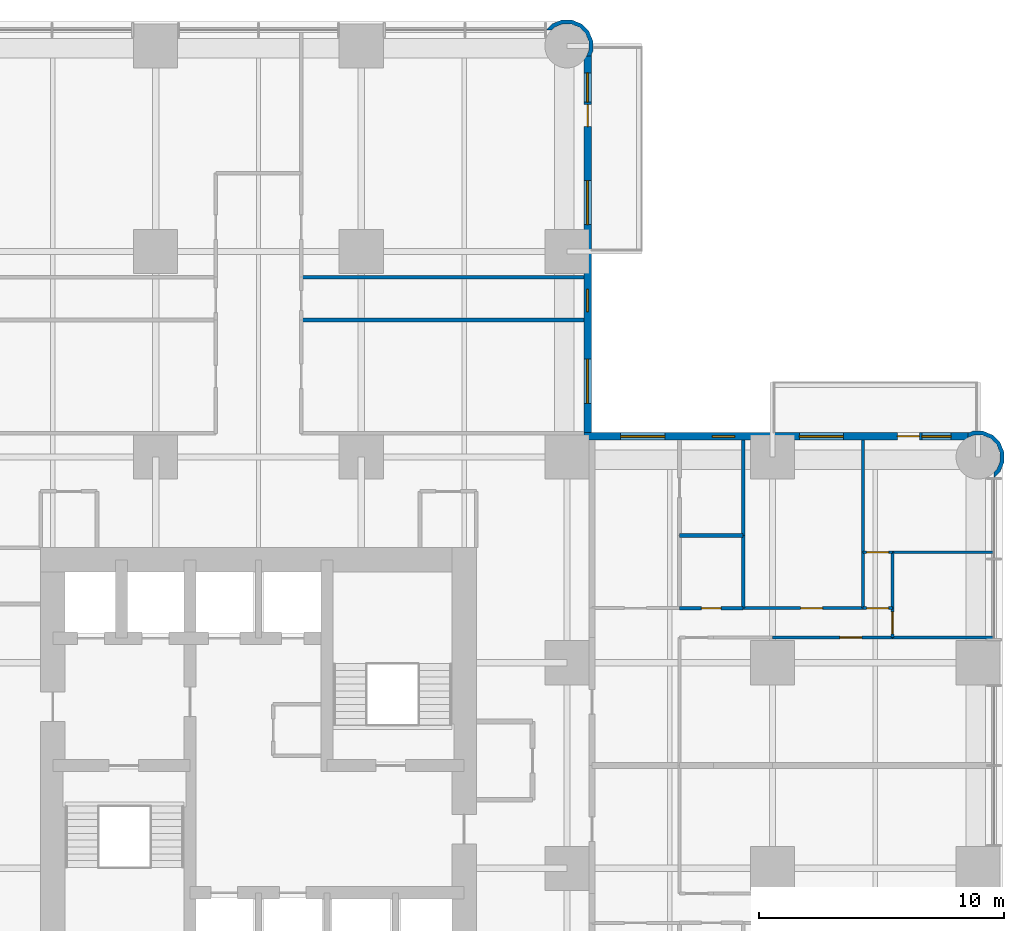
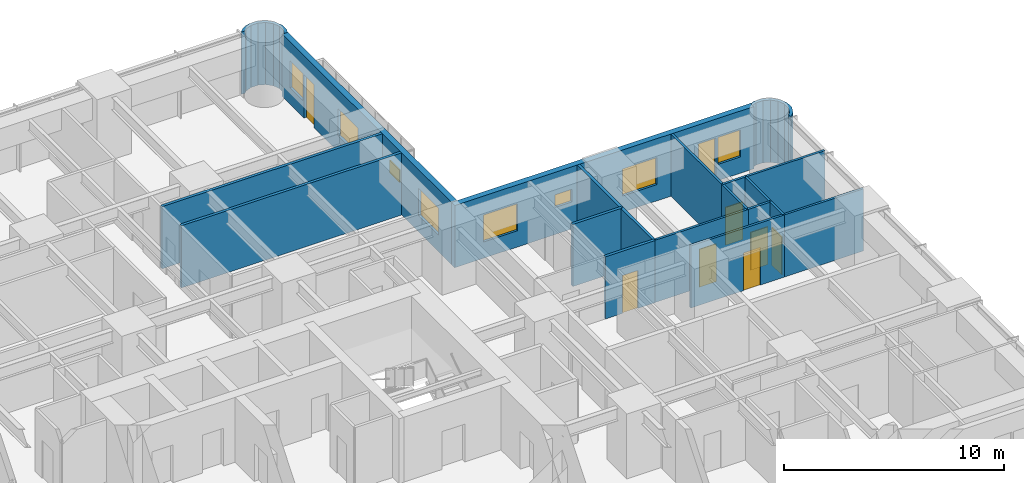
# One storey, part 14 of 17: 20 walls, 8 doors, 8 windows, 16 openings.
"""IFC4 building model written with IfcOpenShell, lengths in metres."""

from ifc_helpers import new_model, si_unit, direction, frame, frame_2d, origin, place, context, subcontext, project, spatial, polyline, rectangle, outline, extrude, material, layer, layer_set, type_object, element, fill, save


model = new_model("IFC4")

# Units and contexts
model_context = context("Model", 3, precision=1e-05, world=origin(), true_north=direction((0.0, 1.0)))
body_context = subcontext(model_context, "Body", "Model", "MODEL_VIEW")
ifc_project = project(units=[si_unit("LENGTHUNIT", "METRE"), si_unit("AREAUNIT", "SQUARE_METRE"), si_unit("VOLUMEUNIT", "CUBIC_METRE"), si_unit("PLANEANGLEUNIT", "RADIAN"), si_unit("MASSUNIT", "GRAM", prefix="KILO")], contexts=[model_context])

# Site, building, storey
site_placement = place(None, origin())
site = spatial("IfcSite", under=ifc_project, at=site_placement, CompositionType="ELEMENT")
building_placement = place(site_placement, origin())
building = spatial("IfcBuilding", under=site, at=building_placement, Name="Torre Alcanfor", CompositionType="ELEMENT")
storey_placement = place(building_placement, frame((0.0, 0.0, 34.5)))
storey = spatial("IfcBuildingStorey", under=building, at=storey_placement, Name="L07", CompositionType="ELEMENT", Elevation=34.5)

# Wall, opening, door
ifc_material_1 = material(Name="Gypsum board on steel studs", Category="steel")
ifc_layer_1 = layer(ifc_material_1, 0.1201171875)
ifc_layer_set_1 = layer_set([ifc_layer_1], Name="Apartment partition 120")
wall_type_1 = type_object("IfcWallType", Name="Apartment partition 120", PredefinedType="PARTITIONING", material=ifc_layer_set_1)
wall_1_placement = place(storey_placement, frame((55.300048828125, 34.62890625, 0.0), z_axis=(0.0, 0.0, 1.0), x_axis=(-1.0, 0.0, 0.0)))
wall_1 = element("IfcWall", 1, at=wall_1_placement, inside=storey, type_object=wall_type_1, Name="Partition L07-E1-LIVING / L07-E1-HALL", PredefinedType="PARTITIONING", context=body_context, shape_type="SweptSolid", body=[
    extrude(rectangle(XDim=4.900146484375, YDim=0.1201171875, at=frame_2d((2.4501953125, 0.0))), origin(), (0.0, 0.0, 1.0), 3.449951171875),
])
opening_1_placement = place(wall_1_placement, frame((1.25, 0.0, 0.0)))
opening_1 = element("IfcOpeningElement", 2, at=opening_1_placement, cuts=wall_1, Name="Opening D-R1", PredefinedType="OPENING", context=body_context, shape_type="SweptSolid", body=[
    extrude(rectangle(XDim=0.89990234375, YDim=2.10009765625, at=frame_2d((0.449951171875, 1.050048828125))), frame((0.0, 0.070068359375, 0.0), z_axis=(0.0, -1.0, 0.0), x_axis=(1.0, 0.0, 0.0)), (0.0, 0.0, 1.0), 0.14013671875),
])
ifc_material_2 = material(Name="Timber", Category="wood")
door_type_1 = type_object("IfcDoorType", Name="Internal door 900x2100", OperationType="SINGLE_SWING_LEFT", PredefinedType="DOOR", material=ifc_material_2)
door_1_placement = place(opening_1_placement, origin())
door_1 = element("IfcDoor", 3, at=door_1_placement, inside=storey, type_object=door_type_1, Name="Door L07-E1 living", OperationType="SINGLE_SWING_RIGHT", OverallHeight=2.10009765625, OverallWidth=0.89990234375, PredefinedType="DOOR", context=body_context, shape_type="SweptSolid", body=[
    extrude(rectangle(XDim=0.89990234375, YDim=2.10009765625, at=frame_2d((0.449951171875, 1.050048828125))), frame((0.0, 0.02490234375, 0.0), z_axis=(0.0, -1.0, 0.0), x_axis=(1.0, 0.0, 0.0)), (0.0, 0.0, 1.0), 0.050048828125),
])
fill(opening_1, door_1)

# Wall
wall_2_placement = place(storey_placement, frame((59.449951171875, 34.62890625, 0.0), z_axis=(0.0, 0.0, 1.0), x_axis=(-1.0, 0.0, 0.0)))
element("IfcWall", 4, at=wall_2_placement, inside=storey, type_object=wall_type_1, Name="Partition L07-E1-LIVING / L07-E1-BED2", PredefinedType="PARTITIONING", context=body_context, shape_type="SweptSolid", body=[
    extrude(rectangle(XDim=4.14990234375, YDim=0.1201171875, at=frame_2d((2.074951171875, 0.0))), origin(), (0.0, 0.0, 1.0), 3.449951171875),
])

# Wall, opening, door
wall_3_placement = place(storey_placement, frame((54.10009765625, 35.8291015625, 0.0), z_axis=(0.0, 0.0, 1.0), x_axis=(-1.0, 0.0, 0.0)))
wall_3 = element("IfcWall", 5, at=wall_3_placement, inside=storey, type_object=wall_type_1, Name="Partition L07-E1-HALL / L07-E1-BED3", PredefinedType="PARTITIONING", context=body_context, shape_type="SweptSolid", body=[
    extrude(rectangle(XDim=4.900146484375, YDim=0.1201171875, at=frame_2d((2.4501953125, 0.0))), origin(), (0.0, 0.0, 1.0), 3.449951171875),
])
opening_2_placement = place(wall_3_placement, frame((1.64990234375, 0.0, 0.0)))
opening_2 = element("IfcOpeningElement", 6, at=opening_2_placement, cuts=wall_3, Name="Opening D-R1", PredefinedType="OPENING", context=body_context, shape_type="SweptSolid", body=[
    extrude(rectangle(XDim=0.89990234375, YDim=2.10009765625, at=frame_2d((0.449951171875, 1.050048828125))), frame((0.0, 0.070068359375, 0.0), z_axis=(0.0, -1.0, 0.0), x_axis=(1.0, 0.0, 0.0)), (0.0, 0.0, 1.0), 0.14013671875),
])
door_2_placement = place(opening_2_placement, frame((0.89990234375, 0.0, 0.0), z_axis=(0.0, 0.0, 1.0), x_axis=(-1.0, 0.0, 0.0)))
door_2 = element("IfcDoor", 7, at=door_2_placement, inside=storey, type_object=door_type_1, Name="Door L07-E1 bed3", OperationType="SINGLE_SWING_RIGHT", OverallHeight=2.10009765625, OverallWidth=0.89990234375, PredefinedType="DOOR", context=body_context, shape_type="SweptSolid", body=[
    extrude(rectangle(XDim=0.89990234375, YDim=2.10009765625, at=frame_2d((0.449951171875, 1.050048828125))), frame((0.0, 0.025146484375, 0.0), z_axis=(0.0, -1.0, 0.0), x_axis=(1.0, 0.0, 0.0)), (0.0, 0.0, 1.0), 0.050048828125),
])
fill(opening_2, door_2)

wall_4_placement = place(storey_placement, frame((55.300048828125, 35.8291015625, 0.0), z_axis=(0.0, 0.0, 1.0), x_axis=(-1.0, 0.0, 0.0)))
wall_4 = element("IfcWall", 8, at=wall_4_placement, inside=storey, type_object=wall_type_1, Name="Partition L07-E1-HALL / L07-E1-VEST", PredefinedType="PARTITIONING", context=body_context, shape_type="SweptSolid", body=[
    extrude(rectangle(XDim=1.199951171875, YDim=0.1201171875, at=frame_2d((0.60009765625, 0.0))), origin(), (0.0, 0.0, 1.0), 3.449951171875),
])
opening_3_placement = place(wall_4_placement, frame((0.14990234375, 0.0, 0.0)))
opening_3 = element("IfcOpeningElement", 9, at=opening_3_placement, cuts=wall_4, Name="Opening D-R1", PredefinedType="OPENING", context=body_context, shape_type="SweptSolid", body=[
    extrude(rectangle(XDim=0.89990234375, YDim=2.10009765625, at=frame_2d((0.449951171875, 1.050048828125))), frame((0.0, 0.070068359375, 0.0), z_axis=(0.0, -1.0, 0.0), x_axis=(1.0, 0.0, 0.0)), (0.0, 0.0, 1.0), 0.14013671875),
])
door_3_placement = place(opening_3_placement, frame((0.89990234375, 0.0, 0.0), z_axis=(0.0, 0.0, 1.0), x_axis=(-1.0, 0.0, 0.0)))
door_3 = element("IfcDoor", 10, at=door_3_placement, inside=storey, type_object=door_type_1, Name="Door L07-E1 vest", OperationType="SINGLE_SWING_RIGHT", OverallHeight=2.10009765625, OverallWidth=0.89990234375, PredefinedType="DOOR", context=body_context, shape_type="SweptSolid", body=[
    extrude(rectangle(XDim=0.89990234375, YDim=2.10009765625, at=frame_2d((0.449951171875, 1.050048828125))), frame((0.0, 0.025146484375, 0.0), z_axis=(0.0, -1.0, 0.0), x_axis=(1.0, 0.0, 0.0)), (0.0, 0.0, 1.0), 0.050048828125),
])
fill(opening_3, door_3)

wall_5_placement = place(storey_placement, frame((55.300048828125, 34.62890625, 0.0), z_axis=(0.0, 0.0, 1.0), x_axis=(0.0, 1.0, 0.0)))
wall_5 = element("IfcWall", 11, at=wall_5_placement, inside=storey, type_object=wall_type_1, Name="Partition L07-E1-HALL / L07-E1-BED2", PredefinedType="PARTITIONING", context=body_context, shape_type="SweptSolid", body=[
    extrude(rectangle(XDim=1.2001953125, YDim=0.1201171875, at=frame_2d((0.60009765625, 0.0))), origin(), (0.0, 0.0, 1.0), 3.449951171875),
])
opening_4_placement = place(wall_5_placement, frame((0.15087890625, 0.0, 0.0)))
opening_4 = element("IfcOpeningElement", 12, at=opening_4_placement, cuts=wall_5, Name="Opening D-R1", PredefinedType="OPENING", context=body_context, shape_type="SweptSolid", body=[
    extrude(rectangle(XDim=0.89990234375, YDim=2.10009765625, at=frame_2d((0.449951171875, 1.050048828125))), frame((0.0, 0.070068359375, 0.0), z_axis=(0.0, -1.0, 0.0), x_axis=(1.0, 0.0, 0.0)), (0.0, 0.0, 1.0), 0.14013671875),
])
door_4_placement = place(opening_4_placement, frame((0.89990234375, 0.0, 0.0), z_axis=(0.0, 0.0, 1.0), x_axis=(-1.0, 0.0, 0.0)))
door_4 = element("IfcDoor", 13, at=door_4_placement, inside=storey, type_object=door_type_1, Name="Door L07-E1 bed2", OperationType="SINGLE_SWING_RIGHT", OverallHeight=2.10009765625, OverallWidth=0.89990234375, PredefinedType="DOOR", context=body_context, shape_type="SweptSolid", body=[
    extrude(rectangle(XDim=0.89990234375, YDim=2.10009765625, at=frame_2d((0.449951171875, 1.050048828125))), frame((0.0, 0.025146484375, 0.0), z_axis=(0.0, -1.0, 0.0), x_axis=(1.0, 0.0, 0.0)), (0.0, 0.0, 1.0), 0.050048828125),
])
fill(opening_4, door_4)

# Walls
wall_6_placement = place(storey_placement, frame((54.10009765625, 35.8291015625, 0.0), z_axis=(0.0, 0.0, 1.0), x_axis=(0.0, 1.0, 0.0)))
element("IfcWall", 14, at=wall_6_placement, inside=storey, type_object=wall_type_1, Name="Partition L07-E1-BED3 / L07-E1-VEST", PredefinedType="PARTITIONING", context=body_context, shape_type="SweptSolid", body=[
    extrude(rectangle(XDim=2.284912109375, YDim=0.1201171875, at=frame_2d((1.142578125, 0.0))), origin(), (0.0, 0.0, 1.0), 3.449951171875),
])
wall_7_placement = place(storey_placement, frame((54.10009765625, 38.114013671875, 0.0), z_axis=(0.0, 0.0, 1.0), x_axis=(0.0, 1.0, 0.0)))
element("IfcWall", 15, at=wall_7_placement, inside=storey, type_object=wall_type_1, Name="Partition L07-E1-BED3 / L07-E1-MASTER", PredefinedType="PARTITIONING", context=body_context, shape_type="SweptSolid", body=[
    extrude(rectangle(XDim=4.5859375, YDim=0.1201171875, at=frame_2d((2.29296875, 0.0))), origin(), (0.0, 0.0, 1.0), 3.449951171875),
])
wall_8_placement = place(storey_placement, frame((55.300048828125, 35.8291015625, 0.0), z_axis=(0.0, 0.0, 1.0), x_axis=(0.0, 1.0, 0.0)))
element("IfcWall", 16, at=wall_8_placement, inside=storey, type_object=wall_type_1, Name="Partition L07-E1-VEST / L07-E1-BED2", PredefinedType="PARTITIONING", context=body_context, shape_type="SweptSolid", body=[
    extrude(rectangle(XDim=2.284912109375, YDim=0.1201171875, at=frame_2d((1.142578125, 0.0))), origin(), (0.0, 0.0, 1.0), 3.449951171875),
])

# Wall, opening, door
wall_9_placement = place(storey_placement, frame((55.300048828125, 38.114013671875, 0.0), z_axis=(0.0, 0.0, 1.0), x_axis=(-1.0, 0.0, 0.0)))
wall_9 = element("IfcWall", 17, at=wall_9_placement, inside=storey, type_object=wall_type_1, Name="Partition L07-E1-VEST / L07-E1-MASTER", PredefinedType="PARTITIONING", context=body_context, shape_type="SweptSolid", body=[
    extrude(rectangle(XDim=1.199951171875, YDim=0.1201171875, at=frame_2d((0.60009765625, 0.0))), origin(), (0.0, 0.0, 1.0), 3.449951171875),
])
opening_5_placement = place(wall_9_placement, frame((0.14990234375, 0.0, 0.0)))
opening_5 = element("IfcOpeningElement", 18, at=opening_5_placement, cuts=wall_9, Name="Opening D-R1", PredefinedType="OPENING", context=body_context, shape_type="SweptSolid", body=[
    extrude(rectangle(XDim=0.89990234375, YDim=2.10009765625, at=frame_2d((0.449951171875, 1.050048828125))), frame((0.0, 0.070068359375, 0.0), z_axis=(0.0, -1.0, 0.0), x_axis=(1.0, 0.0, 0.0)), (0.0, 0.0, 1.0), 0.14013671875),
])
door_5_placement = place(opening_5_placement, origin())
door_5 = element("IfcDoor", 19, at=door_5_placement, inside=storey, type_object=door_type_1, Name="Door L07-E1 master", OperationType="SINGLE_SWING_LEFT", OverallHeight=2.10009765625, OverallWidth=0.89990234375, PredefinedType="DOOR", context=body_context, shape_type="SweptSolid", body=[
    extrude(rectangle(XDim=0.89990234375, YDim=2.10009765625, at=frame_2d((0.449951171875, 1.050048828125))), frame((0.0, 0.02490234375, 0.0), z_axis=(0.0, -1.0, 0.0), x_axis=(1.0, 0.0, 0.0)), (0.0, 0.0, 1.0), 0.050048828125),
])
fill(opening_5, door_5)

# Wall
wall_10_placement = place(storey_placement, frame((59.449951171875, 38.114013671875, 0.0), z_axis=(0.0, 0.0, 1.0), x_axis=(-1.0, 0.0, 0.0)))
element("IfcWall", 20, at=wall_10_placement, inside=storey, type_object=wall_type_1, Name="Partition L07-E1-BED2 / L07-E1-MASTER", PredefinedType="PARTITIONING", context=body_context, shape_type="SweptSolid", body=[
    extrude(rectangle(XDim=4.14990234375, YDim=0.1201171875, at=frame_2d((2.074951171875, 0.0))), origin(), (0.0, 0.0, 1.0), 3.449951171875),
])

# Wall, openings, door, windows
ifc_material_3 = material(Name="Limestone cladding", Category="masonry")
ifc_layer_2 = layer(ifc_material_3, 0.0400390625, Name="Facing")
ifc_material_4 = material(Name="Ventilated air cavity")
ifc_layer_3 = layer(ifc_material_4, 0.02001953125, ventilated=True, Name="Ventilated joint")
ifc_material_5 = material(Name="Mineral wool insulation", Category="insulation")
ifc_layer_4 = layer(ifc_material_5, 0.10009765625, Name="Insulation")
ifc_material_6 = material(Name="Concrete f'c 35 MPa", Category="concrete")
ifc_layer_5 = layer(ifc_material_6, 0.139892578125, Name="Backing")
ifc_layer_set_2 = layer_set([ifc_layer_2, ifc_layer_3, ifc_layer_4, ifc_layer_5], Name="External wall stone-clad 300")
wall_type_2 = type_object("IfcWallType", Name="External wall stone-clad 300", PredefinedType="SOLIDWALL", material=ifc_layer_set_2)
wall_11_placement = place(storey_placement, frame((58.39990234375, 42.85009765625, 0.0), z_axis=(0.0, 0.0, 1.0), x_axis=(-1.0, 0.0, 0.0)))
wall_11 = element("IfcWall", 21, at=wall_11_placement, inside=storey, type_object=wall_type_2, Name="External wall L07 9", PredefinedType="SOLIDWALL", context=body_context, shape_type="SweptSolid", body=[
    extrude(rectangle(XDim=15.699951171875, YDim=0.300048828125, at=frame_2d((7.85009765625, 0.0))), origin(), (0.0, 0.0, 1.0), 3.449951171875),
])
opening_6_placement = place(wall_11_placement, frame((12.39990234375, 0.0, 0.89990234375)))
opening_6 = element("IfcOpeningElement", 22, at=opening_6_placement, cuts=wall_11, Name="Opening W2", PredefinedType="OPENING", context=body_context, shape_type="SweptSolid", body=[
    extrude(rectangle(XDim=1.800048828125, YDim=1.5, at=frame_2d((0.89990234375, 0.75))), frame((0.0, 0.159912109375, 0.0), z_axis=(0.0, -1.0, 0.0), x_axis=(1.0, 0.0, 0.0)), (0.0, 0.0, 1.0), 0.320068359375),
])
opening_7_placement = place(wall_11_placement, frame((9.550048828125, 0.0, 1.5)))
opening_7 = element("IfcOpeningElement", 23, at=opening_7_placement, cuts=wall_11, Name="Opening W3", PredefinedType="OPENING", context=body_context, shape_type="SweptSolid", body=[
    extrude(rectangle(XDim=0.89990234375, YDim=0.699951171875, at=frame_2d((0.449951171875, 0.35009765625))), frame((0.0, 0.159912109375, 0.0), z_axis=(0.0, -1.0, 0.0), x_axis=(1.0, 0.0, 0.0)), (0.0, 0.0, 1.0), 0.320068359375),
])
opening_8_placement = place(wall_11_placement, frame((5.10009765625, 0.0, 0.89990234375)))
opening_8 = element("IfcOpeningElement", 24, at=opening_8_placement, cuts=wall_11, Name="Opening W2", PredefinedType="OPENING", context=body_context, shape_type="SweptSolid", body=[
    extrude(rectangle(XDim=1.800048828125, YDim=1.5, at=frame_2d((0.89990234375, 0.75))), frame((0.0, 0.159912109375, 0.0), z_axis=(0.0, -1.0, 0.0), x_axis=(1.0, 0.0, 0.0)), (0.0, 0.0, 1.0), 0.320068359375),
])
opening_9_placement = place(wall_11_placement, frame((2.0, 0.0, 0.0)))
opening_9 = element("IfcOpeningElement", 25, at=opening_9_placement, cuts=wall_11, Name="Opening D-B1", PredefinedType="OPENING", context=body_context, shape_type="SweptSolid", body=[
    extrude(rectangle(XDim=0.89990234375, YDim=2.39990234375, at=frame_2d((0.449951171875, 1.199951171875))), frame((0.0, 0.159912109375, 0.0), z_axis=(0.0, -1.0, 0.0), x_axis=(1.0, 0.0, 0.0)), (0.0, 0.0, 1.0), 0.320068359375),
])
opening_10_placement = place(wall_11_placement, frame((0.699951171875, 0.0, 0.89990234375)))
opening_10 = element("IfcOpeningElement", 26, at=opening_10_placement, cuts=wall_11, Name="Opening W4", PredefinedType="OPENING", context=body_context, shape_type="SweptSolid", body=[
    extrude(rectangle(XDim=1.199951171875, YDim=1.5, at=frame_2d((0.60009765625, 0.75))), frame((0.0, 0.159912109375, 0.0), z_axis=(0.0, -1.0, 0.0), x_axis=(1.0, 0.0, 0.0)), (0.0, 0.0, 1.0), 0.320068359375),
])
ifc_material_7 = material(Name="Aluminium and glass", Category="aluminium")
door_type_2 = type_object("IfcDoorType", Name="Balcony door glazed 900x2400", OperationType="SINGLE_SWING_LEFT", PredefinedType="DOOR", material=ifc_material_7)
door_6_placement = place(opening_9_placement, origin())
door_6 = element("IfcDoor", 27, at=door_6_placement, inside=storey, type_object=door_type_2, Name="Balcony door L07-E1", OperationType="SINGLE_SWING_RIGHT", OverallHeight=2.39990234375, OverallWidth=0.89990234375, PredefinedType="DOOR", context=body_context, shape_type="SweptSolid", body=[
    extrude(rectangle(XDim=0.89990234375, YDim=2.39990234375, at=frame_2d((0.449951171875, 1.199951171875))), frame((0.0, 0.02490234375, 0.0), z_axis=(0.0, -1.0, 0.0), x_axis=(1.0, 0.0, 0.0)), (0.0, 0.0, 1.0), 0.050048828125),
])
fill(opening_9, door_6)
ifc_material_8 = material(Name="Aluminium frame with clear double glazing", Category="aluminium")
window_type_1 = type_object("IfcWindowType", Name="Window bathroom 900x700", PartitioningType="SINGLE_PANEL", PredefinedType="WINDOW", material=ifc_material_8)
window_1_placement = place(opening_7_placement, origin())
window_1 = element("IfcWindow", 28, at=window_1_placement, inside=storey, type_object=window_type_1, Name="Window W3 L07-E1", OverallHeight=0.699951171875, OverallWidth=0.89990234375, PartitioningType="SINGLE_PANEL", PredefinedType="WINDOW", context=body_context, shape_type="SweptSolid", body=[
    extrude(rectangle(XDim=0.89990234375, YDim=0.699951171875, at=frame_2d((0.449951171875, 0.35009765625))), frame((0.0, 0.030029296875, 0.0), z_axis=(0.0, -1.0, 0.0), x_axis=(1.0, 0.0, 0.0)), (0.0, 0.0, 1.0), 0.06005859375),
])
fill(opening_7, window_1)
ifc_material_9 = material(Name="Aluminium frame with clear double glazing", Category="aluminium")
window_type_2 = type_object("IfcWindowType", Name="Window bedroom 1200x1500", PartitioningType="SINGLE_PANEL", PredefinedType="WINDOW", material=ifc_material_9)
window_2_placement = place(opening_10_placement, origin())
window_2 = element("IfcWindow", 29, at=window_2_placement, inside=storey, type_object=window_type_2, Name="Window W4 L07-E1", OverallHeight=1.5, OverallWidth=1.199951171875, PartitioningType="SINGLE_PANEL", PredefinedType="WINDOW", context=body_context, shape_type="SweptSolid", body=[
    extrude(rectangle(XDim=1.199951171875, YDim=1.5, at=frame_2d((0.60009765625, 0.75))), frame((0.0, 0.030029296875, 0.0), z_axis=(0.0, -1.0, 0.0), x_axis=(1.0, 0.0, 0.0)), (0.0, 0.0, 1.0), 0.06005859375),
])
fill(opening_10, window_2)
ifc_material_10 = material(Name="Aluminium frame with clear double glazing", Category="aluminium")
window_type_3 = type_object("IfcWindowType", Name="Window bedroom 1800x1500", PartitioningType="SINGLE_PANEL", PredefinedType="WINDOW", material=ifc_material_10)
window_3_placement = place(opening_6_placement, origin())
window_3 = element("IfcWindow", 30, at=window_3_placement, inside=storey, type_object=window_type_3, Name="Window W2 L07-E1", OverallHeight=1.5, OverallWidth=1.800048828125, PartitioningType="SINGLE_PANEL", PredefinedType="WINDOW", context=body_context, shape_type="SweptSolid", body=[
    extrude(rectangle(XDim=1.800048828125, YDim=1.5, at=frame_2d((0.89990234375, 0.75))), frame((0.0, 0.030029296875, 0.0), z_axis=(0.0, -1.0, 0.0), x_axis=(1.0, 0.0, 0.0)), (0.0, 0.0, 1.0), 0.06005859375),
])
fill(opening_6, window_3)
window_4_placement = place(opening_8_placement, origin())
window_4 = element("IfcWindow", 31, at=window_4_placement, inside=storey, type_object=window_type_3, Name="Window W2 L07-E1", OverallHeight=1.5, OverallWidth=1.800048828125, PartitioningType="SINGLE_PANEL", PredefinedType="WINDOW", context=body_context, shape_type="SweptSolid", body=[
    extrude(rectangle(XDim=1.800048828125, YDim=1.5, at=frame_2d((0.89990234375, 0.75))), frame((0.0, 0.030029296875, 0.0), z_axis=(0.0, -1.0, 0.0), x_axis=(1.0, 0.0, 0.0)), (0.0, 0.0, 1.0), 0.06005859375),
])
fill(opening_8, window_4)

wall_12_placement = place(storey_placement, frame((42.85009765625, 43.0, 0.0), z_axis=(0.0, 0.0, 1.0), x_axis=(0.0, 1.0, 0.0)))
wall_12 = element("IfcWall", 32, at=wall_12_placement, inside=storey, type_object=wall_type_2, Name="External wall L07 10", PredefinedType="SOLIDWALL", context=body_context, shape_type="SweptSolid", body=[
    extrude(rectangle(XDim=15.39990234375, YDim=0.300048828125, at=frame_2d((7.699951171875, 0.0))), origin(), (0.0, 0.0, 1.0), 3.449951171875),
])
opening_11_placement = place(wall_12_placement, frame((1.199951171875, 0.0, 0.89990234375)))
opening_11 = element("IfcOpeningElement", 33, at=opening_11_placement, cuts=wall_12, Name="Opening W2", PredefinedType="OPENING", context=body_context, shape_type="SweptSolid", body=[
    extrude(rectangle(XDim=1.800048828125, YDim=1.5, at=frame_2d((0.89990234375, 0.75))), frame((0.0, 0.159912109375, 0.0), z_axis=(0.0, -1.0, 0.0), x_axis=(1.0, 0.0, 0.0)), (0.0, 0.0, 1.0), 0.320068359375),
])
opening_12_placement = place(wall_12_placement, frame((4.949951171875, 0.0, 1.5)))
opening_12 = element("IfcOpeningElement", 34, at=opening_12_placement, cuts=wall_12, Name="Opening W3", PredefinedType="OPENING", context=body_context, shape_type="SweptSolid", body=[
    extrude(rectangle(XDim=0.89990234375, YDim=0.699951171875, at=frame_2d((0.449951171875, 0.35009765625))), frame((0.0, 0.159912109375, 0.0), z_axis=(0.0, -1.0, 0.0), x_axis=(1.0, 0.0, 0.0)), (0.0, 0.0, 1.0), 0.320068359375),
])
opening_13_placement = place(wall_12_placement, frame((8.5, 0.0, 0.89990234375)))
opening_13 = element("IfcOpeningElement", 35, at=opening_13_placement, cuts=wall_12, Name="Opening W2", PredefinedType="OPENING", context=body_context, shape_type="SweptSolid", body=[
    extrude(rectangle(XDim=1.800048828125, YDim=1.5, at=frame_2d((0.89990234375, 0.75))), frame((0.0, 0.159912109375, 0.0), z_axis=(0.0, -1.0, 0.0), x_axis=(1.0, 0.0, 0.0)), (0.0, 0.0, 1.0), 0.320068359375),
])
opening_14_placement = place(wall_12_placement, frame((12.5, 0.0, 0.0)))
opening_14 = element("IfcOpeningElement", 36, at=opening_14_placement, cuts=wall_12, Name="Opening D-B1", PredefinedType="OPENING", context=body_context, shape_type="SweptSolid", body=[
    extrude(rectangle(XDim=0.89990234375, YDim=2.39990234375, at=frame_2d((0.449951171875, 1.199951171875))), frame((0.0, 0.159912109375, 0.0), z_axis=(0.0, -1.0, 0.0), x_axis=(1.0, 0.0, 0.0)), (0.0, 0.0, 1.0), 0.320068359375),
])
opening_15_placement = place(wall_12_placement, frame((13.5, 0.0, 0.89990234375)))
opening_15 = element("IfcOpeningElement", 37, at=opening_15_placement, cuts=wall_12, Name="Opening W4", PredefinedType="OPENING", context=body_context, shape_type="SweptSolid", body=[
    extrude(rectangle(XDim=1.199951171875, YDim=1.5, at=frame_2d((0.60009765625, 0.75))), frame((0.0, 0.159912109375, 0.0), z_axis=(0.0, -1.0, 0.0), x_axis=(1.0, 0.0, 0.0)), (0.0, 0.0, 1.0), 0.320068359375),
])
door_7_placement = place(opening_14_placement, origin())
door_7 = element("IfcDoor", 38, at=door_7_placement, inside=storey, type_object=door_type_2, Name="Balcony door L07-N2", OperationType="SINGLE_SWING_RIGHT", OverallHeight=2.39990234375, OverallWidth=0.89990234375, PredefinedType="DOOR", context=body_context, shape_type="SweptSolid", body=[
    extrude(rectangle(XDim=0.89990234375, YDim=2.39990234375, at=frame_2d((0.449951171875, 1.199951171875))), frame((0.0, 0.02490234375, 0.0), z_axis=(0.0, -1.0, 0.0), x_axis=(1.0, 0.0, 0.0)), (0.0, 0.0, 1.0), 0.050048828125),
])
fill(opening_14, door_7)
window_5_placement = place(opening_12_placement, origin())
window_5 = element("IfcWindow", 39, at=window_5_placement, inside=storey, type_object=window_type_1, Name="Window W3 L07-N2", OverallHeight=0.699951171875, OverallWidth=0.89990234375, PartitioningType="SINGLE_PANEL", PredefinedType="WINDOW", context=body_context, shape_type="SweptSolid", body=[
    extrude(rectangle(XDim=0.89990234375, YDim=0.699951171875, at=frame_2d((0.449951171875, 0.35009765625))), frame((0.0, 0.030029296875, 0.0), z_axis=(0.0, -1.0, 0.0), x_axis=(1.0, 0.0, 0.0)), (0.0, 0.0, 1.0), 0.06005859375),
])
fill(opening_12, window_5)
window_6_placement = place(opening_15_placement, origin())
window_6 = element("IfcWindow", 40, at=window_6_placement, inside=storey, type_object=window_type_2, Name="Window W4 L07-N2", OverallHeight=1.5, OverallWidth=1.199951171875, PartitioningType="SINGLE_PANEL", PredefinedType="WINDOW", context=body_context, shape_type="SweptSolid", body=[
    extrude(rectangle(XDim=1.199951171875, YDim=1.5, at=frame_2d((0.60009765625, 0.75))), frame((0.0, 0.030029296875, 0.0), z_axis=(0.0, -1.0, 0.0), x_axis=(1.0, 0.0, 0.0)), (0.0, 0.0, 1.0), 0.06005859375),
])
fill(opening_15, window_6)
window_7_placement = place(opening_11_placement, origin())
window_7 = element("IfcWindow", 41, at=window_7_placement, inside=storey, type_object=window_type_3, Name="Window W2 L07-N2", OverallHeight=1.5, OverallWidth=1.800048828125, PartitioningType="SINGLE_PANEL", PredefinedType="WINDOW", context=body_context, shape_type="SweptSolid", body=[
    extrude(rectangle(XDim=1.800048828125, YDim=1.5, at=frame_2d((0.89990234375, 0.75))), frame((0.0, 0.030029296875, 0.0), z_axis=(0.0, -1.0, 0.0), x_axis=(1.0, 0.0, 0.0)), (0.0, 0.0, 1.0), 0.06005859375),
])
fill(opening_11, window_7)
window_8_placement = place(opening_13_placement, origin())
window_8 = element("IfcWindow", 42, at=window_8_placement, inside=storey, type_object=window_type_3, Name="Window W2 L07-N2", OverallHeight=1.5, OverallWidth=1.800048828125, PartitioningType="SINGLE_PANEL", PredefinedType="WINDOW", context=body_context, shape_type="SweptSolid", body=[
    extrude(rectangle(XDim=1.800048828125, YDim=1.5, at=frame_2d((0.89990234375, 0.75))), frame((0.0, 0.030029296875, 0.0), z_axis=(0.0, -1.0, 0.0), x_axis=(1.0, 0.0, 0.0)), (0.0, 0.0, 1.0), 0.06005859375),
])
fill(opening_13, window_8)

# Walls
ifc_material_11 = material(Name="Concrete block masonry, hollow blocks NMX-C-404 9 MPa", Category="masonry")
ifc_layer_6 = layer(ifc_material_11, 0.14990234375)
ifc_layer_set_3 = layer_set([ifc_layer_6], Name="Residents' room partition 150")
wall_type_3 = type_object("IfcWallType", Name="Residents' room partition 150", PredefinedType="PARTITIONING", material=ifc_layer_set_3)
for number, where, z_axis, x_axis, name in (
    (43, (42.699951171875, 47.60009765625, 0.0), (0.0, 0.0, 1.0), (-1.0, 0.0, 0.0), "Partition L07-N-STORE / L07-N-CLEAN"),
    (44, (42.699951171875, 49.35009765625, 0.0), (0.0, 0.0, 1.0), (-1.0, 0.0, 0.0), "Partition L07-N-CLEAN / L07-N-STUDYR"),
):
    element("IfcWall", number, at=place(storey_placement, frame(where, z_axis=z_axis, x_axis=x_axis)), inside=storey, type_object=wall_type_3, Name=name, PredefinedType="PARTITIONING", context=body_context, shape_type="SweptSolid", body=[
        extrude(rectangle(XDim=11.556884765625, YDim=0.14990234375, at=frame_2d((5.7783203125, 0.0))), origin(), (0.0, 0.0, 1.0), 3.449951171875),
    ])
ifc_layer_7 = layer(ifc_material_3, 0.0400390625, Name="Facing")
ifc_layer_8 = layer(ifc_material_4, 0.02001953125, ventilated=True, Name="Ventilated joint")
ifc_layer_9 = layer(ifc_material_5, 0.10009765625, Name="Insulation")
ifc_layer_10 = layer(ifc_material_6, 0.139892578125, Name="Backing")
ifc_layer_set_4 = layer_set([ifc_layer_7, ifc_layer_8, ifc_layer_9, ifc_layer_10], Name="Rounded corner pier stone-clad 300")
wall_type_4 = type_object("IfcWallType", Name="Rounded corner pier stone-clad 300", PredefinedType="SOLIDWALL", material=ifc_layer_set_4)
wall_13_placement = place(storey_placement, frame((59.410519256, 41.23340608, 0.0), z_axis=(0.0, 0.0, 1.0), x_axis=(0.926129809145, 0.377204953059, 0.0)))
element("IfcWall", 45, at=wall_13_placement, inside=storey, type_object=wall_type_4, Name="Corner pier L07 18", PredefinedType="SOLIDWALL", context=body_context, shape_type="SweptSolid", body=[
    extrude(outline(polyline([(0.6260654471319579, 0.34524919711057256), (0.7850146045978224, 0.7355079985228963), (0.7823098124660501, 1.1573373086599013), (0.6187697625812524, 1.546081906916958), (0.31877691555394516, 1.8425152342918512), (-0.07170799176881437, 2.0015564828107086), (-0.24004949470661174, 2.000526523212158), (-0.2695944713928893, 2.0173049949130335), (-0.36998902843916337, 1.8407134525266757), (-0.10235758996356603, 1.8421635923174307), (0.22956588655630128, 1.7069739265237522), (0.4845024203782949, 1.4552530429107593), (0.6236098424040335, 1.1249645948716174), (0.6257138051575375, 0.7663837026280839), (0.49052413936385914, 0.43446022610821644), (0.23848505878743742, 0.1793896774287799), (0.09020527382959523, 0.11693875386038477), (0.010914877202648991, -0.0777384350249053), (0.02448123182880161, -0.08326389820448342), (0.32940601384662893, 0.045348441136258355), (0.47997135267738844, 0.19755163478368112), (0.49907282709518125, 0.19267151555903828), (0.5076193949673722, 0.22530566424262682), (0.6260654471319579, 0.34524919711057256)])), origin(), (0.0, 0.0, 1.0), 3.449951171875),
])
wall_14_placement = place(storey_placement, frame((42.909907157, 58.436037137, 0.0), z_axis=(0.0, 0.0, 1.0), x_axis=(0.377204953059, 0.926129809145, 0.0)))
element("IfcWall", 46, at=wall_14_placement, inside=storey, type_object=wall_type_4, Name="Corner pier L07 19", PredefinedType="SOLIDWALL", context=body_context, shape_type="SweptSolid", body=[
    extrude(outline(polyline([(0.7691852559267269, 1.7275655888693722), (0.7500837815089341, 1.7226854696447296), (0.5995184426781746, 1.8748886632921522), (0.2945936606603473, 2.0035010026328943), (0.2810273060341947, 1.997975539453316), (0.36031770266114094, 1.803298350568026), (0.5085974876189833, 1.7408474269996308), (0.7606365681954048, 1.4857768783201941), (0.8958262339890831, 1.1538534018003268), (0.8937222712355792, 0.7952725095567933), (0.7546148492098406, 0.46498406151765126), (0.499678315387847, 0.21326317790465843), (0.16775483886797962, 0.07807351211098004), (-0.09987659960761772, 0.07952365190173498), (0.0005179574386563676, -0.09706789048462287), (0.030062934124933945, -0.08028941878374739), (0.19840443706273136, -0.08131937838229769), (0.5888893443854909, 0.07772187013655965), (0.888882191412798, 0.3741551975114527), (1.0524222412975957, 0.7628997957685094), (1.0551270334293679, 1.1847291059055145), (0.8961778759635035, 1.5749879073178383), (0.7777318237989179, 1.6949314401857838), (0.7691852559267269, 1.7275655888693722)])), origin(), (0.0, 0.0, 1.0), 3.449951171875),
])

# Wall, opening, door
ifc_material_12 = material(Name="Cement board on steel studs", Category="steel")
ifc_layer_11 = layer(ifc_material_12, 0.14990234375)
ifc_layer_set_5 = layer_set([ifc_layer_11], Name="Wet area partition 150")
wall_type_5 = type_object("IfcWallType", Name="Wet area partition 150", PredefinedType="PARTITIONING", material=ifc_layer_set_5)
wall_15_placement = place(storey_placement, frame((49.199951171875, 35.8291015625, 0.0), z_axis=(0.0, 0.0, 1.0), x_axis=(-1.0, 0.0, 0.0)))
wall_15 = element("IfcWall", 47, at=wall_15_placement, inside=storey, type_object=wall_type_5, Name="Partition L07-E1-HALL / L07-E1-BATH1", PredefinedType="PARTITIONING", context=body_context, shape_type="SweptSolid", body=[
    extrude(rectangle(XDim=2.599853515625, YDim=0.14990234375, at=frame_2d((1.2998046875, 0.0))), origin(), (0.0, 0.0, 1.0), 3.449951171875),
])
opening_16_placement = place(wall_15_placement, frame((0.89990234375, 0.0, 0.0)))
opening_16 = element("IfcOpeningElement", 48, at=opening_16_placement, cuts=wall_15, Name="Opening D-R2", PredefinedType="OPENING", context=body_context, shape_type="SweptSolid", body=[
    extrude(rectangle(XDim=0.800048828125, YDim=2.10009765625, at=frame_2d((0.39990234375, 1.050048828125))), frame((0.0, 0.0849609375, 0.0), z_axis=(0.0, -1.0, 0.0), x_axis=(1.0, 0.0, 0.0)), (0.0, 0.0, 1.0), 0.169921875),
])
ifc_material_13 = material(Name="Timber", Category="wood")
door_type_3 = type_object("IfcDoorType", Name="Bathroom door 800x2100", OperationType="SINGLE_SWING_LEFT", PredefinedType="DOOR", material=ifc_material_13)
door_8_placement = place(opening_16_placement, frame((0.800048828125, 0.0, 0.0), z_axis=(0.0, 0.0, 1.0), x_axis=(-1.0, 0.0, 0.0)))
door_8 = element("IfcDoor", 49, at=door_8_placement, inside=storey, type_object=door_type_3, Name="Door L07-E1 bath1", OperationType="SINGLE_SWING_RIGHT", OverallHeight=2.10009765625, OverallWidth=0.800048828125, PredefinedType="DOOR", context=body_context, shape_type="SweptSolid", body=[
    extrude(rectangle(XDim=0.800048828125, YDim=2.10009765625, at=frame_2d((0.400146484375, 1.050048828125))), frame((0.0, 0.025146484375, 0.0), z_axis=(0.0, -1.0, 0.0), x_axis=(1.0, 0.0, 0.0)), (0.0, 0.0, 1.0), 0.050048828125),
])
fill(opening_16, door_8)

# Walls
wall_16_placement = place(storey_placement, frame((49.199951171875, 38.800048828125, 0.0), z_axis=(0.0, 0.0, 1.0), x_axis=(-1.0, 0.0, 0.0)))
element("IfcWall", 50, at=wall_16_placement, inside=storey, type_object=wall_type_5, Name="Partition L07-E1-BATH1 / L07-E1-SBATH", PredefinedType="PARTITIONING", context=body_context, shape_type="SweptSolid", body=[
    extrude(rectangle(XDim=2.599853515625, YDim=0.14990234375, at=frame_2d((1.2998046875, 0.0))), origin(), (0.0, 0.0, 1.0), 3.449951171875),
])
wall_17_placement = place(storey_placement, frame((49.199951171875, 35.8291015625, 0.0), z_axis=(0.0, 0.0, 1.0), x_axis=(0.0, 1.0, 0.0)))
element("IfcWall", 51, at=wall_17_placement, inside=storey, type_object=wall_type_5, Name="Partition L07-E1-BATH1 / L07-E1-BED3", PredefinedType="PARTITIONING", context=body_context, shape_type="SweptSolid", body=[
    extrude(rectangle(XDim=2.970947265625, YDim=0.14990234375, at=frame_2d((1.4853515625, 0.0))), origin(), (0.0, 0.0, 1.0), 3.449951171875),
])
wall_18_placement = place(storey_placement, frame((49.199951171875, 38.800048828125, 0.0), z_axis=(0.0, 0.0, 1.0), x_axis=(0.0, 1.0, 0.0)))
element("IfcWall", 52, at=wall_18_placement, inside=storey, type_object=wall_type_5, Name="Partition L07-E1-SBATH / L07-E1-BED3", PredefinedType="PARTITIONING", context=body_context, shape_type="SweptSolid", body=[
    extrude(rectangle(XDim=3.89990234375, YDim=0.14990234375, at=frame_2d((1.949951171875, 0.0))), origin(), (0.0, 0.0, 1.0), 3.449951171875),
])

save(model, "model.ifc")
